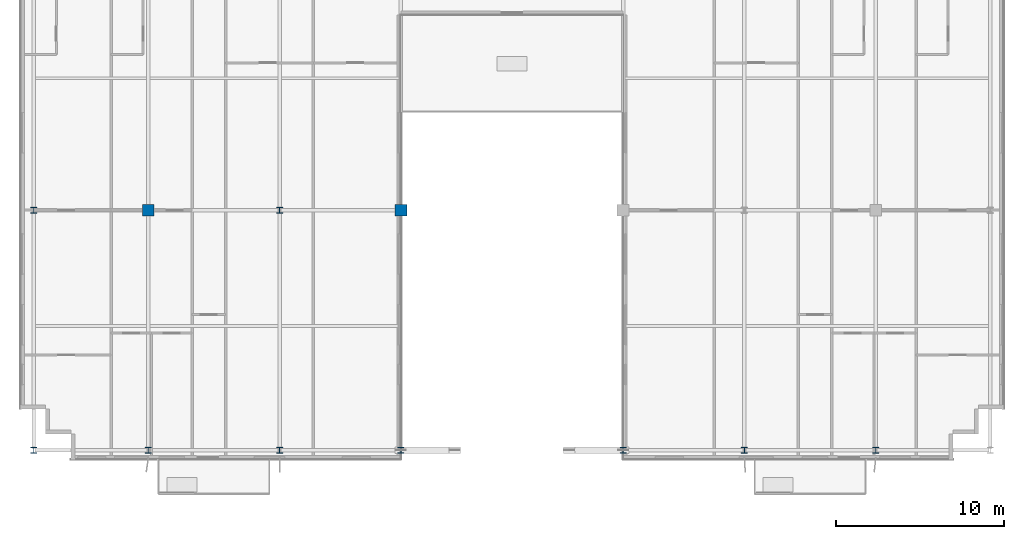
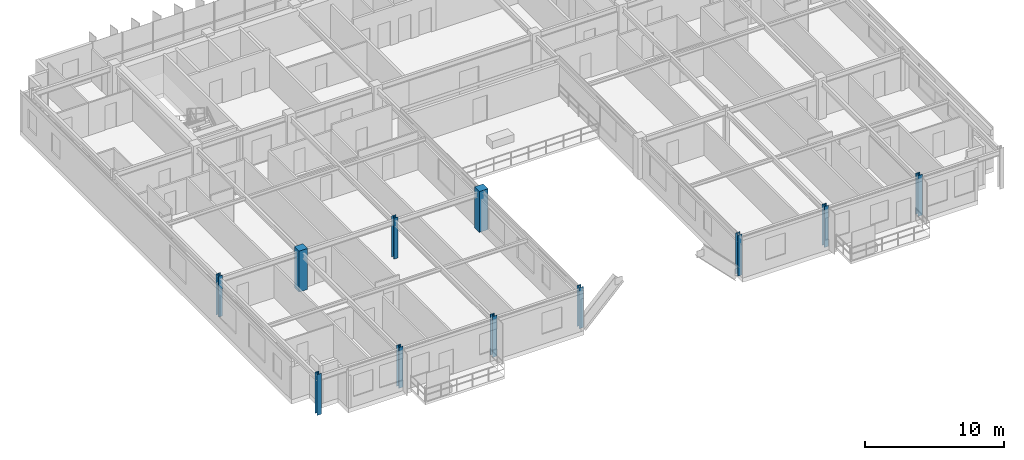
# One storey, part 1 of 23: 11 columns.
"""IFC4 building model written with IfcOpenShell, lengths in metres."""

import ifcopenshell
import ifcopenshell.guid

model = None  # the IFC model being written
_history = None  # IfcOwnerHistory: only IFC2X3 demands one
_inside = {}  # id of a spatial element -> (the spatial element, [elements in it])
_under = {}  # id of a project, library or spatial element -> (it, [spatial elements below it])
_declared = {}  # id of a project -> (the project, [libraries it declares])
_typed = {}  # id of a type object -> (the type object, [elements of that type])
_made_of = {}  # id of a material, layer set ... -> (it, [elements and type objects made of it])


def new_model(schema):
    """Start an empty IFC model of exactly this schema.

    Asked for "IFC4X3", IfcOpenShell would pick the latest addendum, in which some entities
    have other attributes; the version numbers below select the first issue.
    IFC2X3 requires an IfcOwnerHistory on every rooted entity: one is made here for all.
    """
    global model, _history
    if schema == "IFC4X3":
        model = ifcopenshell.file(schema_version=(4, 3, 0, 0))
    else:
        model = ifcopenshell.file(schema=schema)
    _inside.clear()
    _under.clear()
    _declared.clear()
    _typed.clear()
    _made_of.clear()
    _history = None
    if model.schema == "IFC2X3":
        org = make("IfcOrganization", Name="unknown")
        user = make(
            "IfcPersonAndOrganization",
            ThePerson=make("IfcPerson", FamilyName="unknown"),
            TheOrganization=org,
        )
        app = make(
            "IfcApplication",
            ApplicationDeveloper=org,
            Version="unknown",
            ApplicationFullName="unknown",
            ApplicationIdentifier="unknown",
        )
        _history = make(
            "IfcOwnerHistory",
            OwningUser=user,
            OwningApplication=app,
            ChangeAction="ADDED",
            CreationDate=0,
        )
    return model


def make(cls, **values):
    """One entity of the class cls with the attributes given. An attribute that is None is left unset."""
    return model.create_entity(
        cls, **{name: value for name, value in values.items() if value is not None}
    )


def rooted(cls, **values):
    """An entity with a GlobalId (a new one), such as an element, a storey or a relation."""
    return make(cls, GlobalId=ifcopenshell.guid.new(), OwnerHistory=_history, **values)


def si_unit(unit_type, name, prefix=None):
    """IfcSIUnit, for example si_unit("LENGTHUNIT", "METRE", prefix="MILLI")."""
    return make("IfcSIUnit", UnitType=unit_type, Prefix=prefix, Name=name)


def assignment(units):
    """IfcUnitAssignment: the units of a project."""
    return None if units is None else make("IfcUnitAssignment", Units=units)


def point(xyz):
    """IfcCartesianPoint."""
    return None if xyz is None else make("IfcCartesianPoint", Coordinates=xyz)


def direction(xyz):
    """IfcDirection."""
    return None if xyz is None else make("IfcDirection", DirectionRatios=xyz)


def frame(location, z_axis=None, x_axis=None):
    """IfcAxis2Placement3D, a coordinate frame: its origin and axes. An axis left out is left unset."""
    return make(
        "IfcAxis2Placement3D",
        Location=point(location),
        Axis=direction(z_axis),
        RefDirection=direction(x_axis),
    )


def frame_2d(location, x_axis=None):
    """IfcAxis2Placement2D, a coordinate frame in the plane: its origin and x axis."""
    return make(
        "IfcAxis2Placement2D", Location=point(location), RefDirection=direction(x_axis)
    )


def origin():
    """The frame at (0, 0, 0) with its axes left unset."""
    return frame((0.0, 0.0, 0.0))


def origin_2d():
    """The frame at (0, 0) in the plane with its x axis left unset."""
    return frame_2d((0.0, 0.0))


def place(relative_to, where):
    """IfcLocalPlacement: puts the frame where relative to a parent placement (None: the world)."""
    return make(
        "IfcLocalPlacement", PlacementRelTo=relative_to, RelativePlacement=where
    )


def context(
    kind, dimensions, precision=None, world=None, true_north=None, identifier=None
):
    """IfcGeometricRepresentationContext, for example the 3D "Model" context."""
    return make(
        "IfcGeometricRepresentationContext",
        ContextIdentifier=identifier,
        ContextType=kind,
        CoordinateSpaceDimension=dimensions,
        Precision=precision,
        WorldCoordinateSystem=world,
        TrueNorth=true_north,
    )


def subcontext(parent, identifier, kind, view, scale=None):
    """IfcGeometricRepresentationSubContext, for example "Body" below "Model"."""
    return make(
        "IfcGeometricRepresentationSubContext",
        ContextIdentifier=identifier,
        ContextType=kind,
        ParentContext=parent,
        TargetScale=scale,
        TargetView=view,
    )


def project(units=None, contexts=None):
    """IfcProject with its units and contexts."""
    return rooted(
        "IfcProject",
        Name="project",
        RepresentationContexts=contexts,
        UnitsInContext=assignment(units),
    )


def spatial(cls, under=None, at=None, **own):
    """A site, building, storey or space (cls), placed at a placement, below another one or the project."""
    s = rooted(cls, ObjectPlacement=at, **own)
    if under is not None:
        _under.setdefault(under.id(), (under, []))[1].append(s)
    return s


def profile(cls, at=None, kind="AREA", **sizes):
    """A parametric profile (cls). Its sizes go by their IFC names, for example OverallWidth=200.0."""
    return make(cls, ProfileType=kind, Position=at, **sizes)


def rectangle(**sizes):
    """IfcRectangleProfileDef."""
    return profile("IfcRectangleProfileDef", **sizes)


def i_section(**sizes):
    """IfcIShapeProfileDef."""
    return profile("IfcIShapeProfileDef", **sizes)


def extrude(swept, where, along, depth):
    """IfcExtrudedAreaSolid: the profile swept, set in the frame where, extruded along a direction by depth."""
    return make(
        "IfcExtrudedAreaSolid",
        SweptArea=swept,
        Position=where,
        ExtrudedDirection=direction(along),
        Depth=depth,
    )


def shape(context_of_items, identifier, shape_type, items):
    """IfcShapeRepresentation: the items that make up one representation, for example the "Body"."""
    return make(
        "IfcShapeRepresentation",
        ContextOfItems=context_of_items,
        RepresentationIdentifier=identifier,
        RepresentationType=shape_type,
        Items=items,
    )


def source(mapping_origin, context_of_items, identifier, shape_type, items):
    """IfcRepresentationMap: a shape defined once, which mapped items show again and again."""
    return make(
        "IfcRepresentationMap",
        MappingOrigin=mapping_origin,
        MappedRepresentation=shape(context_of_items, identifier, shape_type, items),
    )


def transform(
    local_origin,
    x_axis=None,
    y_axis=None,
    z_axis=None,
    scale=None,
    scale2=None,
    scale3=None,
    uniform=True,
):
    """IfcCartesianTransformationOperator3D, or its non-uniform kind. x_axis, y_axis, z_axis: its Axis1, 2, 3."""
    if uniform:
        return make(
            "IfcCartesianTransformationOperator3D",
            Axis1=direction(x_axis),
            Axis2=direction(y_axis),
            LocalOrigin=point(local_origin),
            Scale=scale,
            Axis3=direction(z_axis),
        )
    return make(
        "IfcCartesianTransformationOperator3DnonUniform",
        Axis1=direction(x_axis),
        Axis2=direction(y_axis),
        LocalOrigin=point(local_origin),
        Scale=scale,
        Axis3=direction(z_axis),
        Scale2=scale2,
        Scale3=scale3,
    )


def mapped(mapping_source, mapping_target):
    """IfcMappedItem: shows the shape of a source again, moved by a transform."""
    return make(
        "IfcMappedItem", MappingSource=mapping_source, MappingTarget=mapping_target
    )


def material(Name=None, Category=None):
    """IfcMaterial."""
    return make("IfcMaterial", Name=Name, Category=Category)


def material_profile(
    of_material, cross_section, Name=None, Category=None, Priority=None
):
    """IfcMaterialProfile: a cross section and its material."""
    return make(
        "IfcMaterialProfile",
        Name=Name,
        Material=of_material,
        Profile=cross_section,
        Priority=Priority,
        Category=Category,
    )


def profile_set(profiles, Name=None, composite=None):
    """IfcMaterialProfileSet."""
    return make(
        "IfcMaterialProfileSet",
        Name=Name,
        MaterialProfiles=profiles,
        CompositeProfile=composite,
    )


def made_of(thing, what):
    """Note that an element or type object is made of a material, layer set ...; save() writes the relation."""
    if what is not None:
        _made_of.setdefault(what.id(), (what, []))[1].append(thing)
    return thing


def type_object(cls, material=None, **own):
    """A type object (cls), such as IfcWallType, which elements share."""
    return made_of(rooted(cls, **own), material)


def element(
    cls,
    number,
    at=None,
    inside=None,
    cuts=None,
    type_object=None,
    material=None,
    context=None,
    identifier="Body",
    shape_type=None,
    held_by="IfcProductDefinitionShape",
    body=None,
    shapes=None,
    **own,
):
    """One element of the class cls, such as IfcWall. Its Tag is "e" and its number.

    at: its placement. inside: the storey or other place that contains it. cuts: it is an
    opening in that element (IfcRelVoidsElement). A single representation is given by context,
    identifier, shape_type and body (its items); several are given by shapes. held_by: the class
    of the entity that holds the representations. save() writes the other relations.
    """
    e = rooted(cls, Tag="e%d" % number, ObjectPlacement=at, **own)
    if body is not None:
        shapes = [shape(context, identifier, shape_type, body)]
    if shapes is not None:
        e.Representation = make(held_by, Representations=shapes)
    if inside is not None:
        _inside.setdefault(inside.id(), (inside, []))[1].append(e)
    if cuts is not None:
        rooted(
            "IfcRelVoidsElement", RelatingBuildingElement=cuts, RelatedOpeningElement=e
        )
    if type_object is not None:
        _typed.setdefault(type_object.id(), (type_object, []))[1].append(e)
    return made_of(e, material)


def aggregate(whole, parts):
    """IfcRelAggregates: a whole, such as a stair, and the parts it consists of."""
    return rooted("IfcRelAggregates", RelatingObject=whole, RelatedObjects=parts)


def save(model, path):
    """Write the relations noted so far, then the file.

    IfcRelAggregates (storeys below a building ...), IfcRelContainedInSpatialStructure (elements
    in a storey), IfcRelDefinesByType, IfcRelAssociatesMaterial and IfcRelDeclares: one each for
    every whole, place, type object, material and project.
    """
    for whole, parts in _under.values():
        aggregate(whole, parts)
    for where, things in _inside.values():
        rooted(
            "IfcRelContainedInSpatialStructure",
            RelatedElements=things,
            RelatingStructure=where,
        )
    for kind, things in _typed.values():
        rooted("IfcRelDefinesByType", RelatedObjects=things, RelatingType=kind)
    for what, things in _made_of.values():
        rooted("IfcRelAssociatesMaterial", RelatedObjects=things, RelatingMaterial=what)
    for by, libraries in _declared.values():
        rooted("IfcRelDeclares", RelatingContext=by, RelatedDefinitions=libraries)
    model.write(path)


model = new_model("IFC4")

# Units and contexts
model_context = context("Model", 3, precision=1e-05, world=origin(), true_north=direction((0.0, 1.0)))
body_context = subcontext(model_context, "Body", "Model", "MODEL_VIEW")
ifc_project = project(units=[si_unit("LENGTHUNIT", "METRE"), si_unit("AREAUNIT", "SQUARE_METRE"), si_unit("VOLUMEUNIT", "CUBIC_METRE"), si_unit("PLANEANGLEUNIT", "RADIAN"), si_unit("MASSUNIT", "GRAM", prefix="KILO")], contexts=[model_context])

# Site, building, storey
site_placement = place(None, origin())
site = spatial("IfcSite", under=ifc_project, at=site_placement, CompositionType="ELEMENT")
building_placement = place(site_placement, origin())
building = spatial("IfcBuilding", under=site, at=building_placement, Name="Trelvane Seafront Commons", CompositionType="ELEMENT")
storey_placement = place(building_placement, frame((0.0, 0.0, 190.5)))
storey = spatial("IfcBuildingStorey", under=building, at=storey_placement, Name="L49", CompositionType="ELEMENT", Elevation=190.5)

# Columns
ifc_material_1 = material(Name="Concrete C50/60", Category="concrete")
ifc_material_profile_1 = material_profile(ifc_material_1, rectangle(XDim=0.699951171875, YDim=0.699951171875, at=origin_2d()), Name="RC-700x700")
ifc_profile_set_1 = profile_set([ifc_material_profile_1], Name="Concrete C50/60")
column_type_1 = type_object("IfcColumnType", Name="STR-COL-RC700", PredefinedType="COLUMN", material=ifc_profile_set_1)
shared_shape_1 = source(origin(), body_context, "Body", "SweptSolid", [
    extrude(rectangle(XDim=0.699951171875, YDim=0.699951171875, at=origin_2d()), origin(), (0.0, 0.0, 1.0), 3.60009765625),
])
for number, where, z_axis, x_axis, name in (
    (1, (15.60009765625, 18.199951171875, 0.0), (0.0, 0.0, 1.0), (1.0, 0.0, 0.0), "L49 Column TC-M15.6"),
    (2, (30.60009765625, 18.199951171875, 0.0), (0.0, 0.0, 1.0), (1.0, 0.0, 0.0), "L49 Column TC-M30.6"),
):
    element("IfcColumn", number, at=place(storey_placement, frame(where, z_axis=z_axis, x_axis=x_axis)), inside=storey, type_object=column_type_1, Name=name, PredefinedType="COLUMN", context=body_context, shape_type="MappedRepresentation", body=[
        mapped(shared_shape_1, transform((0.0, 0.0, 0.0), x_axis=(1.0, 0.0, 0.0), y_axis=(0.0, 1.0, 0.0), z_axis=(0.0, 0.0, 1.0), scale=1.0)),
    ])
ifc_material_2 = material(Name="Steel SM355 (S355)", Category="steel")
ifc_material_profile_2 = material_profile(ifc_material_2, i_section(OverallWidth=0.35009765625, OverallDepth=0.35009765625, WebThickness=0.01806640625, FlangeThickness=0.028076171875, at=origin_2d()), Name="HD-350x350x18x28")
ifc_profile_set_2 = profile_set([ifc_material_profile_2], Name="Steel SM355 (S355)")
column_type_2 = type_object("IfcColumnType", Name="STR-COL-HD350", PredefinedType="COLUMN", material=ifc_profile_set_2)
shared_shape_2 = source(origin(), body_context, "Body", "SweptSolid", [
    extrude(i_section(OverallWidth=0.35009765625, OverallDepth=0.35009765625, WebThickness=0.01806640625, FlangeThickness=0.028076171875, at=origin_2d()), origin(), (0.0, 0.0, 1.0), 3.60009765625),
])
for number, where, z_axis, x_axis, name in (
    (3, (8.800048828125, 3.949951171875, 0.0), (0.0, 0.0, 1.0), (1.0, 0.0, 0.0), "L49 Column TC-S8.8"),
    (4, (8.800048828125, 18.199951171875, 0.0), (0.0, 0.0, 1.0), (1.0, 0.0, 0.0), "L49 Column TC-M8.8"),
    (5, (15.60009765625, 3.949951171875, 0.0), (0.0, 0.0, 1.0), (1.0, 0.0, 0.0), "L49 Column TC-S15.6"),
    (6, (23.39990234375, 3.949951171875, 0.0), (0.0, 0.0, 1.0), (1.0, 0.0, 0.0), "L49 Column TC-S23.4"),
    (7, (23.39990234375, 18.199951171875, 0.0), (0.0, 0.0, 1.0), (1.0, 0.0, 0.0), "L49 Column TC-M23.4"),
    (8, (30.60009765625, 3.949951171875, 0.0), (0.0, 0.0, 1.0), (1.0, 0.0, 0.0), "L49 Column TC-S30.6"),
    (9, (43.800048828125, 3.949951171875, 0.0), (0.0, 0.0, 1.0), (1.0, 0.0, 0.0), "L49 Column TC-S43.8"),
    (10, (51.0, 3.949951171875, 0.0), (0.0, 0.0, 1.0), (1.0, 0.0, 0.0), "L49 Column TC-S51.0"),
    (11, (58.800048828125, 3.949951171875, 0.0), (0.0, 0.0, 1.0), (1.0, 0.0, 0.0), "L49 Column TC-S58.8"),
):
    element("IfcColumn", number, at=place(storey_placement, frame(where, z_axis=z_axis, x_axis=x_axis)), inside=storey, type_object=column_type_2, Name=name, PredefinedType="COLUMN", context=body_context, shape_type="MappedRepresentation", body=[
        mapped(shared_shape_2, transform((0.0, 0.0, 0.0), x_axis=(1.0, 0.0, 0.0), y_axis=(0.0, 1.0, 0.0), z_axis=(0.0, 0.0, 1.0), scale=1.0)),
    ])

save(model, "model.ifc")
